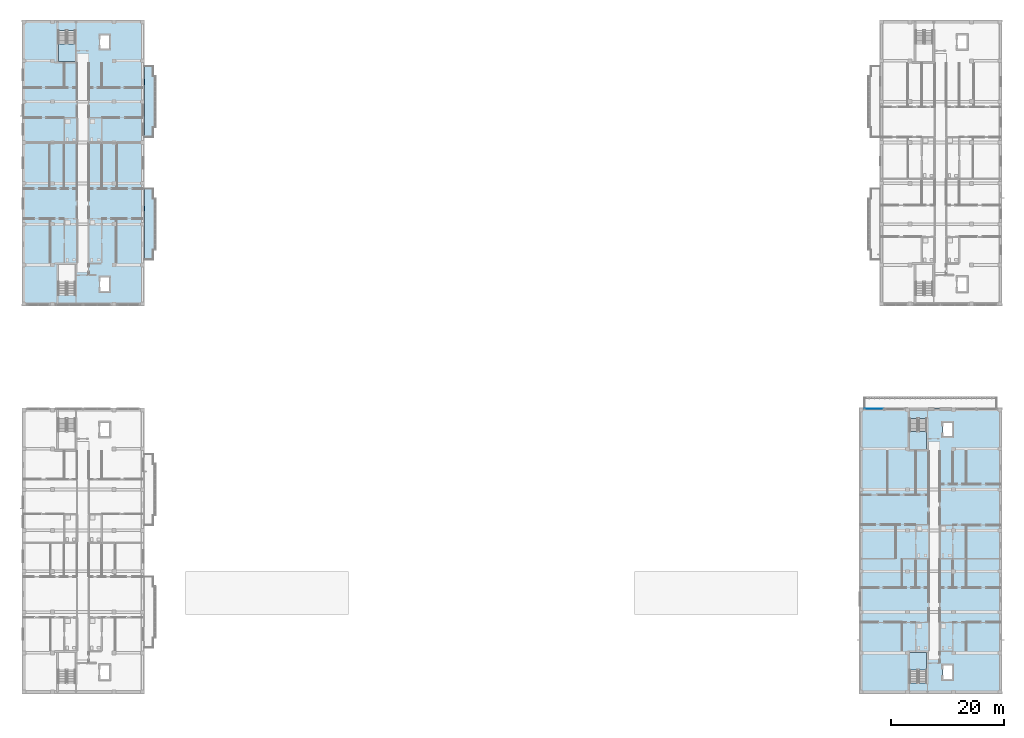
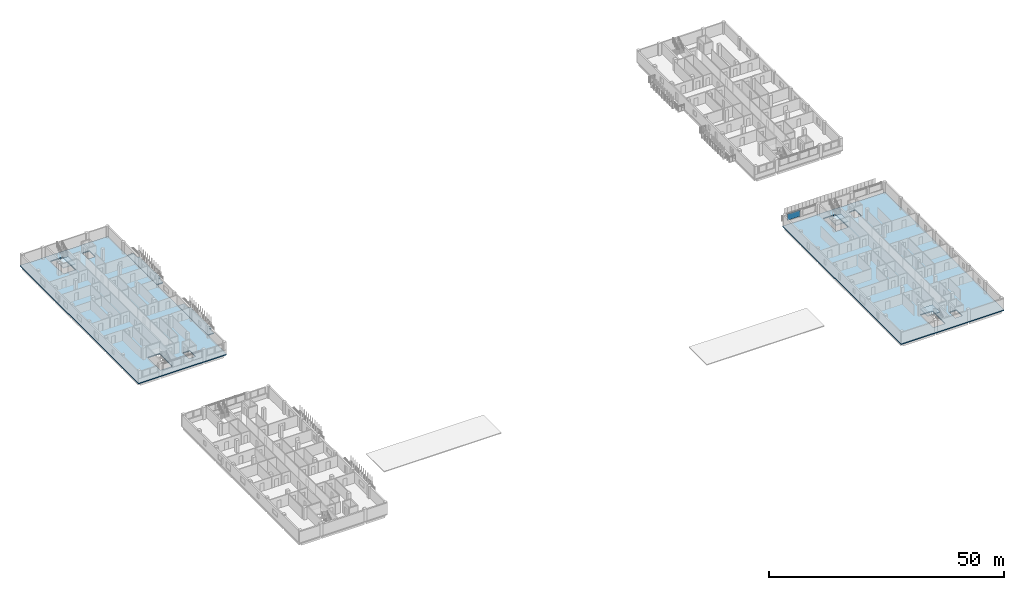
# One storey, part 22 of 51: 7 slabs, 1 plate, 4 elements without a shape of their own.
"""IFC4 building model written with IfcOpenShell, lengths in metres."""

from ifc_helpers import new_model, si_unit, derived_unit, direction, frame, origin, origin_2d, place, context, subcontext, project, spatial, polyline, rectangle, outline, extrude, material, layer, layer_set, type_object, element, aggregate, save


model = new_model("IFC4")

# Units and contexts
model_context = context("Model", 3, precision=1e-05, world=origin(), true_north=direction((0.0, 1.0)))
body_context = subcontext(model_context, "Body", "Model", "MODEL_VIEW")
ifc_project = project(units=[si_unit("LENGTHUNIT", "METRE"), si_unit("AREAUNIT", "SQUARE_METRE"), si_unit("VOLUMEUNIT", "CUBIC_METRE"), si_unit("PLANEANGLEUNIT", "RADIAN"), si_unit("MASSUNIT", "GRAM", prefix="KILO"), derived_unit("THERMALTRANSMITTANCEUNIT", [(si_unit("MASSUNIT", "GRAM", prefix="KILO"), 1), (si_unit("TIMEUNIT", "SECOND"), -3), (si_unit("THERMODYNAMICTEMPERATUREUNIT", "KELVIN"), -1)])], contexts=[model_context])

# Site, building, storey
site_placement = place(None, origin())
site = spatial("IfcSite", under=ifc_project, at=site_placement, CompositionType="ELEMENT")
building_placement = place(site_placement, origin())
building = spatial("IfcBuilding", under=site, at=building_placement, Name="Ochrekiln Boulevard Commons", CompositionType="ELEMENT")
storey_placement = place(building_placement, frame((0.0, 0.0, 15.22509765625)))
storey = spatial("IfcBuildingStorey", under=building, at=storey_placement, Name="L04", CompositionType="ELEMENT", Elevation=15.22509765625)

# Curtain wall, plate
ifc_material_1 = material(Name="Bronze-anodized extruded aluminium 6063-T6", Category="aluminium")
ifc_layer_1 = layer(ifc_material_1, 0.18408203125)
ifc_layer_set_1 = layer_set([ifc_layer_1], Name="Bronze-anodized extruded aluminium 6063-T6")
curtain_wall_type = type_object("IfcCurtainWallType", Name="CW-GABLE-B", PredefinedType="USERDEFINED", material=ifc_layer_set_1)
curtain_wall_placement = place(storey_placement, origin())
curtain_wall = element("IfcCurtainWall", 1, at=curtain_wall_placement, inside=storey, type_object=curtain_wall_type, Name="Block C L04 Courtyard Glazed Gable Curtain Wall 1", ObjectType="GLAZED CURTAIN WALL", PredefinedType="USERDEFINED")
ifc_material_2 = material(Name="Spectrally selective low-E insulated glazing", Category="glass")
ifc_layer_2 = layer(ifc_material_2, 0.030029296875)
ifc_layer_set_2 = layer_set([ifc_layer_2], Name="Spectrally selective low-E insulated glazing")
plate_type = type_object("IfcPlateType", Name="CWP-GLZ-2", PredefinedType="CURTAIN_PANEL", material=ifc_layer_set_2)
plate_placement = place(storey_placement, frame((150.2099609375, 50.235107421875, 1.175048828125), z_axis=(0.0, 0.0, 1.0), x_axis=(1.0, 0.0, 0.0)))
plate = element("IfcPlate", 2, at=plate_placement, type_object=plate_type, Name="CW-02 panel 1.1", PredefinedType="CURTAIN_PANEL", context=body_context, shape_type="SweptSolid", body=[
    extrude(rectangle(XDim=3.14990234375, YDim=0.030029296875, at=origin_2d()), origin(), (0.0, 0.0, 1.0), 1.64990234375),
])
aggregate(curtain_wall, [plate])

# Slabs
ifc_material_3 = material(Name="Concrete C35/45", Category="concrete")
ifc_layer_3 = layer(ifc_material_3, 0.219970703125)
ifc_layer_set_3 = layer_set([ifc_layer_3], Name="Concrete C35/45")
slab_type_1 = type_object("IfcSlabType", Name="SLB-BAL-220", PredefinedType="FLOOR", material=ifc_layer_set_3)
slab_1_placement = place(storey_placement, frame((0.0, 0.0, -0.22021484375)))
element("IfcSlab", 3, at=slab_1_placement, inside=storey, type_object=slab_type_1, Name="Block A L04 Planter-Box Balcony Slab 1", PredefinedType="FLOOR", context=body_context, shape_type="SweptSolid", body=[
    extrude(outline(polyline([(21.60009765625, 76.5), (23.14990234375, 76.5), (23.14990234375, 78.300048828125), (23.60009765625, 78.300048828125), (23.60009765625, 87.300048828125), (23.14990234375, 87.300048828125), (23.14990234375, 89.10009765625), (21.60009765625, 89.10009765625), (21.60009765625, 76.5)])), origin(), (0.0, 0.0, 1.0), 0.22021484375),
])
slab_2_placement = place(storey_placement, frame((0.0, 0.0, -0.22021484375)))
element("IfcSlab", 4, at=slab_2_placement, inside=storey, type_object=slab_type_1, Name="Block A L04 Planter-Box Balcony Slab 2", PredefinedType="FLOOR", context=body_context, shape_type="SweptSolid", body=[
    extrude(outline(polyline([(21.60009765625, 98.10009765625), (23.14990234375, 98.10009765625), (23.14990234375, 99.89990234375), (23.60009765625, 99.89990234375), (23.60009765625, 108.89990234375), (23.14990234375, 108.89990234375), (23.14990234375, 110.699951171875), (21.60009765625, 110.699951171875), (21.60009765625, 98.10009765625)])), origin(), (0.0, 0.0, 1.0), 0.22021484375),
])

# Stair, slab
stair_type = type_object("IfcStairType", Name="STR-DL-315", PredefinedType="TWO_STRAIGHT_RUN_STAIR", material=ifc_material_3)
stair_1_placement = place(storey_placement, origin())
stair_1 = element("IfcStair", 5, at=stair_1_placement, inside=storey, type_object=stair_type, Name="L04 Enclosed Exit Stair ST-A2", PredefinedType="TWO_STRAIGHT_RUN_STAIR")
ifc_layer_4 = layer(ifc_material_3, 0.199951171875)
ifc_layer_set_4 = layer_set([ifc_layer_4], Name="Concrete C35/45")
slab_type_2 = type_object("IfcSlabType", Name="SLB-LND-200", PredefinedType="LANDING", material=ifc_layer_set_4)
slab_3_placement = place(storey_placement, frame((0.0, 0.0, 1.375)))
slab_3 = element("IfcSlab", 6, at=slab_3_placement, type_object=slab_type_2, Name="ST-A2 landing 1", PredefinedType="LANDING", context=body_context, shape_type="SweptSolid", body=[
    extrude(outline(polyline([(6.39990234375, 114.610107421875), (6.39990234375, 111.47998046875), (9.39990234375, 111.47998046875), (9.39990234375, 114.610107421875), (6.39990234375, 114.610107421875)])), origin(), (0.0, 0.0, 1.0), 0.199951171875),
])
aggregate(stair_1, [slab_3])

stair_2_placement = place(storey_placement, origin())
stair_2 = element("IfcStair", 7, at=stair_2_placement, inside=storey, type_object=stair_type, Name="L04 Enclosed Exit Stair ST-C1", PredefinedType="TWO_STRAIGHT_RUN_STAIR")
slab_4_placement = place(storey_placement, frame((0.0, 0.0, 1.375)))
slab_4 = element("IfcSlab", 8, at=slab_4_placement, type_object=slab_type_2, Name="ST-C1 landing 1", PredefinedType="LANDING", context=body_context, shape_type="SweptSolid", body=[
    extrude(outline(polyline([(159.5, 4.18994140625), (159.5, 7.320068359375), (156.5, 7.320068359375), (156.5, 4.18994140625), (159.5, 4.18994140625)])), origin(), (0.0, 0.0, 1.0), 0.199951171875),
])
aggregate(stair_2, [slab_4])

stair_3_placement = place(storey_placement, origin())
stair_3 = element("IfcStair", 9, at=stair_3_placement, inside=storey, type_object=stair_type, Name="L04 Enclosed Exit Stair ST-C2", PredefinedType="TWO_STRAIGHT_RUN_STAIR")
slab_5_placement = place(storey_placement, frame((0.0, 0.0, 1.375)))
slab_5 = element("IfcSlab", 10, at=slab_5_placement, type_object=slab_type_2, Name="ST-C2 landing 1", PredefinedType="LANDING", context=body_context, shape_type="SweptSolid", body=[
    extrude(outline(polyline([(156.5, 46.2099609375), (156.5, 43.080078125), (159.5, 43.080078125), (159.5, 46.2099609375), (156.5, 46.2099609375)])), origin(), (0.0, 0.0, 1.0), 0.199951171875),
])
aggregate(stair_3, [slab_5])

# Slabs
ifc_layer_5 = layer(ifc_material_3, 0.260009765625)
ifc_layer_set_5 = layer_set([ifc_layer_5], Name="Concrete C35/45")
slab_type_3 = type_object("IfcSlabType", Name="SLB-RES-260", PredefinedType="FLOOR", material=ifc_layer_set_5)
slab_6_placement = place(storey_placement, frame((0.0, 0.0, -0.260009765625)))
element("IfcSlab", 11, at=slab_6_placement, inside=storey, type_object=slab_type_3, Name="Block A L04 Reinforced Concrete Floor Slab", PredefinedType="FLOOR", context=body_context, shape_type="SweptSolid", body=[
    extrude(outline(polyline([(0.0, 68.39990234375), (21.60009765625, 68.39990234375), (21.60009765625, 118.800048828125), (0.0, 118.800048828125), (0.0, 68.39990234375)]), holes=[polyline([(9.39990234375, 70.2705078125), (9.39990234375, 75.719970703125), (6.39990234375, 75.719970703125), (6.39990234375, 70.2705078125), (9.39990234375, 70.2705078125)]), polyline([(6.39990234375, 116.929443359375), (6.39990234375, 111.47998046875), (9.39990234375, 111.47998046875), (9.39990234375, 116.929443359375), (6.39990234375, 116.929443359375)]), polyline([(13.75, 70.949951171875), (15.449951171875, 70.949951171875), (15.449951171875, 73.449951171875), (13.75, 73.449951171875), (13.75, 70.949951171875)]), polyline([(13.75, 113.64990234375), (15.449951171875, 113.64990234375), (15.449951171875, 116.14990234375), (13.75, 116.14990234375), (13.75, 113.64990234375)])]), origin(), (0.0, 0.0, 1.0), 0.260009765625),
])
slab_7_placement = place(storey_placement, frame((0.0, 0.0, -0.260009765625)))
element("IfcSlab", 12, at=slab_7_placement, inside=storey, type_object=slab_type_3, Name="Block C L04 Reinforced Concrete Floor Slab", PredefinedType="FLOOR", context=body_context, shape_type="SweptSolid", body=[
    extrude(outline(polyline([(147.60009765625, 0.0), (172.800048828125, 0.0), (172.800048828125, 50.39990234375), (147.60009765625, 50.39990234375), (147.60009765625, 0.0)]), holes=[polyline([(159.5, 1.87060546875), (159.5, 7.320068359375), (156.5, 7.320068359375), (156.5, 1.87060546875), (159.5, 1.87060546875)]), polyline([(156.5, 48.529541015625), (156.5, 43.080078125), (159.5, 43.080078125), (159.5, 48.529541015625), (156.5, 48.529541015625)]), polyline([(162.35009765625, 2.550048828125), (164.050048828125, 2.550048828125), (164.050048828125, 5.050048828125), (162.35009765625, 5.050048828125), (162.35009765625, 2.550048828125)]), polyline([(162.35009765625, 45.35009765625), (164.050048828125, 45.35009765625), (164.050048828125, 47.85009765625), (162.35009765625, 47.85009765625), (162.35009765625, 45.35009765625)])]), origin(), (0.0, 0.0, 1.0), 0.260009765625),
])

save(model, "model.ifc")
